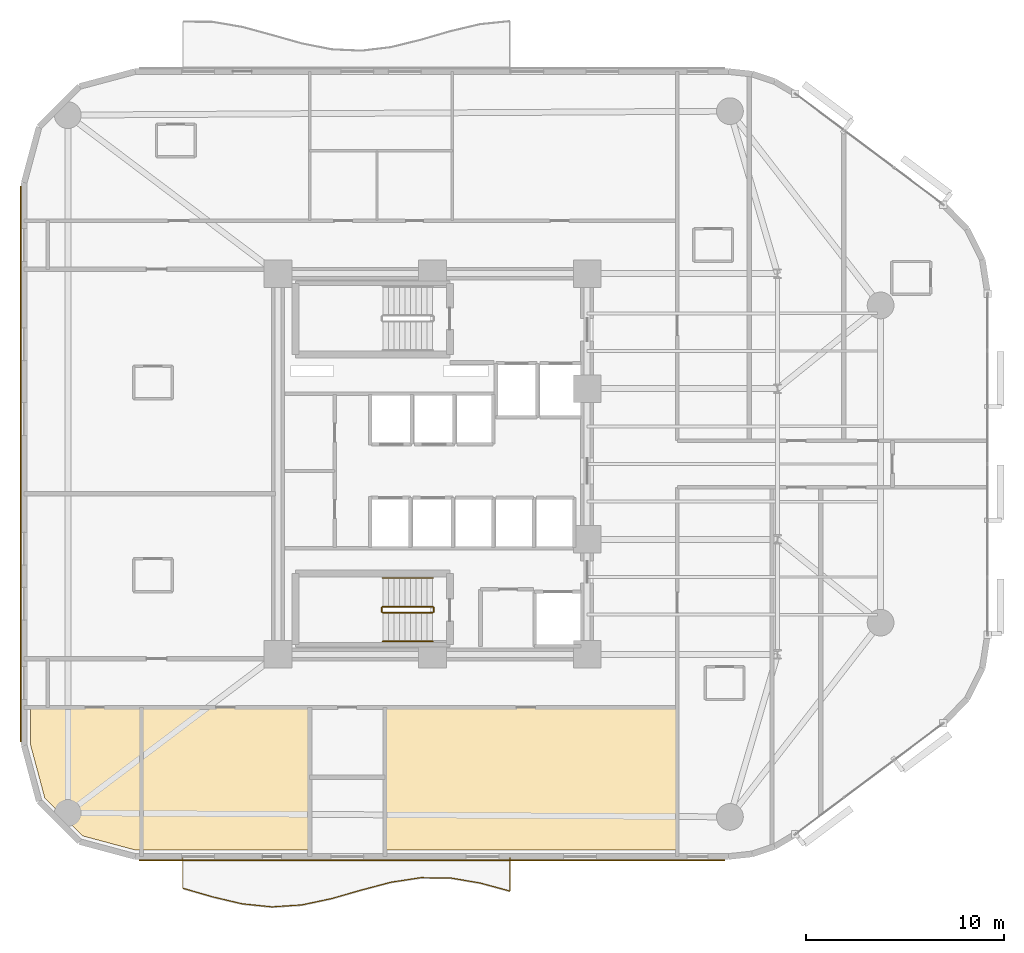
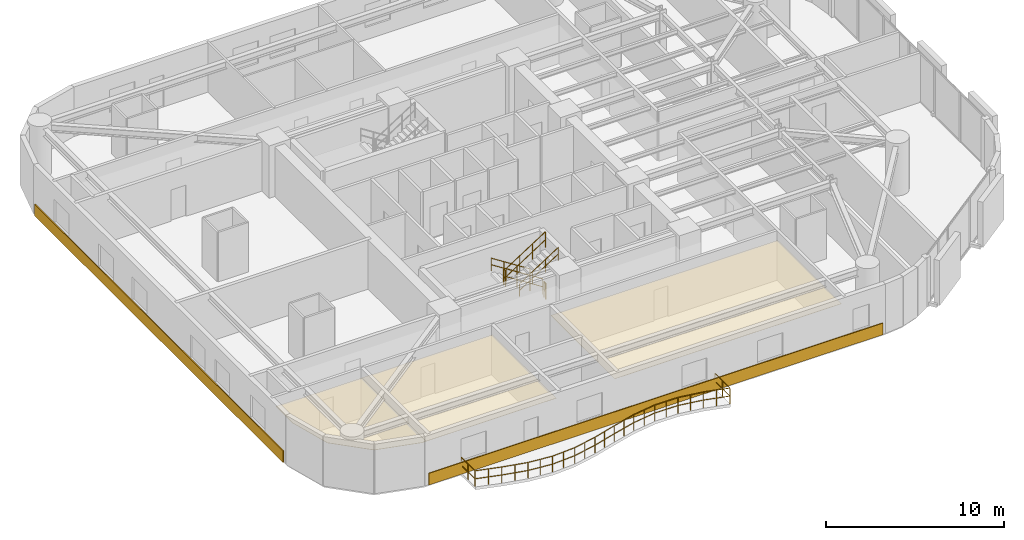
# One storey, part 14 of 16: 7 railings, 5 coverings.
"""IFC4 building model written with IfcOpenShell, lengths in metres."""

from ifc_helpers import new_model, si_unit, direction, frame, origin, origin_2d, place, context, subcontext, project, spatial, polyline, rectangle, circle, outline, extrude, material, layer, layer_set, type_object, element, save


model = new_model("IFC4")

# Units and contexts
model_context = context("Model", 3, precision=1e-05, world=origin(), true_north=direction((0.0, 1.0)))
body_context = subcontext(model_context, "Body", "Model", "MODEL_VIEW")
ifc_project = project(units=[si_unit("LENGTHUNIT", "METRE"), si_unit("AREAUNIT", "SQUARE_METRE"), si_unit("VOLUMEUNIT", "CUBIC_METRE"), si_unit("PLANEANGLEUNIT", "RADIAN"), si_unit("MASSUNIT", "GRAM", prefix="KILO")], contexts=[model_context])

# Site, building, storey
site_placement = place(None, origin())
site = spatial("IfcSite", under=ifc_project, at=site_placement, CompositionType="ELEMENT")
building_placement = place(site_placement, origin())
building = spatial("IfcBuilding", under=site, at=building_placement, Name="An Khanh Terracotta Commons", CompositionType="ELEMENT")
storey_placement = place(building_placement, frame((0.0, 0.0, 89.89990234375)))
storey = spatial("IfcBuildingStorey", under=building, at=storey_placement, Name="L23", CompositionType="ELEMENT", Elevation=89.89990234375)

# Coverings
ifc_material_1 = material(Name="Perforated Mineral-Fibre Acoustic Tile")
ifc_layer_1 = layer(ifc_material_1, 0.02001953125, Name="Perforated Mineral-Fibre Acoustic Tile")
ifc_layer_set_1 = layer_set([ifc_layer_1], Name="Perforated Mineral-Fibre Acoustic Tile")
covering_type_1 = type_object("IfcCoveringType", Name="CEIL-ACOUSTIC-18", PredefinedType="CEILING", material=ifc_layer_set_1)
covering_1_placement = place(storey_placement, frame((0.0, 0.0, 2.650146484375)))
element("IfcCovering", 1, at=covering_1_placement, inside=storey, type_object=covering_type_1, Name="L23 Academic Seminar Room Ceiling", PredefinedType="CEILING", context=body_context, shape_type="SweptSolid", body=[
    extrude(outline(polyline([(14.44189453125, 4.52001953125), (11.76611328125, 5.237060546875), (9.8369140625, 7.166015625), (9.1201171875, 9.842041015625), (9.1201171875, 11.719970703125), (10.0, 11.719970703125), (14.721923828125, 11.719970703125), (14.721923828125, 4.52001953125), (14.44189453125, 4.52001953125)])), origin(), (0.0, 0.0, 1.0), 0.02001953125),
])
covering_2_placement = place(storey_placement, frame((0.0, 0.0, 2.650146484375)))
element("IfcCovering", 2, at=covering_2_placement, inside=storey, type_object=covering_type_1, Name="L23 Academic Seminar Room Ceiling", PredefinedType="CEILING", context=body_context, shape_type="SweptSolid", body=[
    extrude(outline(polyline([(14.721923828125, 4.52001953125), (14.721923828125, 11.719970703125), (23.199951171875, 11.719970703125), (23.199951171875, 8.199951171875), (23.199951171875, 4.52001953125), (14.721923828125, 4.52001953125)])), origin(), (0.0, 0.0, 1.0), 0.02001953125),
])
covering_3_placement = place(storey_placement, frame((0.0, 0.0, 2.650146484375)))
element("IfcCovering", 3, at=covering_3_placement, inside=storey, type_object=covering_type_1, Name="L23 Academic Seminar Room Ceiling", PredefinedType="CEILING", context=body_context, shape_type="SweptSolid", body=[
    extrude(outline(polyline([(27.0, 4.52001953125), (27.0, 8.199951171875), (27.0, 11.719970703125), (37.5, 11.719970703125), (41.75, 11.719970703125), (41.75, 4.52001953125), (27.0, 4.52001953125)])), origin(), (0.0, 0.0, 1.0), 0.02001953125),
])
ifc_material_2 = material(Name="Fired Terracotta Rainscreen Cladding", Category="masonry")
ifc_layer_2 = layer(ifc_material_2, 0.06005859375, Name="Fired Terracotta Rainscreen Cladding")
ifc_layer_set_2 = layer_set([ifc_layer_2], Name="Fired Terracotta Rainscreen Cladding")
covering_type_2 = type_object("IfcCoveringType", Name="COV-SPANDREL-TERRA", PredefinedType="CLADDING", material=ifc_layer_set_2)
covering_4_placement = place(storey_placement, frame((29.365966796875, 4.02001953125, 0.02001953125), z_axis=(0.0, 0.0, 1.0), x_axis=(1.0, 0.0, 0.0)))
element("IfcCovering", 4, at=covering_4_placement, inside=storey, type_object=covering_type_2, Name="L23 Terracotta Spandrel Cladding 4", PredefinedType="CLADDING", context=body_context, shape_type="SweptSolid", body=[
    extrude(rectangle(XDim=29.532958984375, YDim=0.06005859375, at=origin_2d()), origin(), (0.0, 0.0, 1.0), 0.800048828125),
])
covering_5_placement = place(storey_placement, frame((8.6201171875, 24.0, 0.02001953125), z_axis=(0.0, 0.0, 1.0), x_axis=(0.0, -1.0, 0.0)))
element("IfcCovering", 5, at=covering_5_placement, inside=storey, type_object=covering_type_2, Name="L23 Terracotta Spandrel Cladding 24", PredefinedType="CLADDING", context=body_context, shape_type="SweptSolid", body=[
    extrude(rectangle(XDim=28.0, YDim=0.06005859375, at=origin_2d()), origin(), (0.0, 0.0, 1.0), 0.800048828125),
])

# Railings
ifc_material_3 = material(Name="Brushed Stainless Steel 316", Category="steel")
railing_type_1 = type_object("IfcRailingType", Name="RAIL-BALUSTRADE-1100", PredefinedType="BALUSTRADE", material=ifc_material_3)
railing_1_placement = place(storey_placement, frame((16.800048828125, 4.139892578125, 0.0)))
element("IfcRailing", 6, at=railing_1_placement, inside=storey, type_object=railing_type_1, Name="L23 S Wave Balcony Guard Balustrade", PredefinedType="BALUSTRADE", context=body_context, shape_type="SweptSolid", body=[
    extrude(circle(Radius=0.02392578125, at=origin_2d()), frame((0.0, 0.0, 1.076171875), z_axis=(0.0, -1.0, 0.0), x_axis=(1.0, 0.0, 0.0)), (0.0, 0.0, 1.0), 1.535888671875),
    extrude(circle(Radius=0.02392578125, at=origin_2d()), frame((0.0, 0.0, 0.52587890625), z_axis=(0.0, -1.0, 0.0), x_axis=(1.0, 0.0, 0.0)), (0.0, 0.0, 1.0), 1.535888671875),
    extrude(circle(Radius=0.02392578125, at=origin_2d()), frame((0.0, -1.535888671875, 1.076171875), z_axis=(0.960419102414, -0.278559056071, 0.0), x_axis=(0.278559056071, 0.960419102414, 0.0)), (0.0, 0.0, 1.0), 1.561767578125),
    extrude(circle(Radius=0.02392578125, at=origin_2d()), frame((0.0, -1.535888671875, 0.52587890625), z_axis=(0.960419102414, -0.278559056071, 0.0), x_axis=(0.278559056071, 0.960419102414, 0.0)), (0.0, 0.0, 1.0), 1.561767578125),
    extrude(circle(Radius=0.02392578125, at=origin_2d()), frame((1.5, -1.970947265625, 1.076171875), z_axis=(0.973263214687, -0.229692653206, 0.0), x_axis=(0.229692653206, 0.973263214687, 0.0)), (0.0, 0.0, 1.0), 1.541259765625),
    extrude(circle(Radius=0.02392578125, at=origin_2d()), frame((1.5, -1.970947265625, 0.52587890625), z_axis=(0.973263214687, -0.229692653206, 0.0), x_axis=(0.229692653206, 0.973263214687, 0.0)), (0.0, 0.0, 1.0), 1.541259765625),
    extrude(circle(Radius=0.02392578125, at=origin_2d()), frame((3.0, -2.324951171875, 1.076171875), z_axis=(0.994849482387, -0.101363244788, 0.0), x_axis=(0.101363244788, 0.994849482387, 0.0)), (0.0, 0.0, 1.0), 1.5078125),
    extrude(circle(Radius=0.02392578125, at=origin_2d()), frame((3.0, -2.324951171875, 0.52587890625), z_axis=(0.994849482387, -0.101363244788, 0.0), x_axis=(0.101363244788, 0.994849482387, 0.0)), (0.0, 0.0, 1.0), 1.5078125),
    extrude(circle(Radius=0.02392578125, at=origin_2d()), frame((4.5, -2.477783203125, 1.076171875), z_axis=(0.99787689467, 0.065128358523, 0.0), x_axis=(-0.065128358523, 0.99787689467, 0.0)), (0.0, 0.0, 1.0), 1.503173828125),
    extrude(circle(Radius=0.02392578125, at=origin_2d()), frame((4.5, -2.477783203125, 0.52587890625), z_axis=(0.99787689467, 0.065128358523, 0.0), x_axis=(-0.065128358523, 0.99787689467, 0.0)), (0.0, 0.0, 1.0), 1.503173828125),
    extrude(circle(Radius=0.02392578125, at=origin_2d()), frame((6.0, -2.3798828125, 1.076171875), z_axis=(0.978275241205, 0.207310280607, 0.0), x_axis=(-0.207310280607, 0.978275241205, 0.0)), (0.0, 0.0, 1.0), 1.533203125),
    extrude(circle(Radius=0.02392578125, at=origin_2d()), frame((6.0, -2.3798828125, 0.52587890625), z_axis=(0.978275241205, 0.207310280607, 0.0), x_axis=(-0.207310280607, 0.978275241205, 0.0)), (0.0, 0.0, 1.0), 1.533203125),
    extrude(circle(Radius=0.02392578125, at=origin_2d()), frame((7.5, -2.06201171875, 1.076171875), z_axis=(0.961251897699, 0.275671524047, 0.0), x_axis=(-0.275671524047, 0.961251897699, 0.0)), (0.0, 0.0, 1.0), 1.560546875),
    extrude(circle(Radius=0.02392578125, at=origin_2d()), frame((7.5, -2.06201171875, 0.52587890625), z_axis=(0.961251897699, 0.275671524047, 0.0), x_axis=(-0.275671524047, 0.961251897699, 0.0)), (0.0, 0.0, 1.0), 1.560546875),
    extrude(circle(Radius=0.02392578125, at=origin_2d()), frame((9.0, -1.6318359375, 1.076171875), z_axis=(0.966718963822, 0.255840663277, 0.0), x_axis=(-0.255840663277, 0.966718963822, 0.0)), (0.0, 0.0, 1.0), 1.5517578125),
    extrude(circle(Radius=0.02392578125, at=origin_2d()), frame((9.0, -1.6318359375, 0.52587890625), z_axis=(0.966718963822, 0.255840663277, 0.0), x_axis=(-0.255840663277, 0.966718963822, 0.0)), (0.0, 0.0, 1.0), 1.5517578125),
    extrude(circle(Radius=0.02392578125, at=origin_2d()), frame((10.5, -1.23486328125, 1.076171875), z_axis=(0.988545890906, 0.15092058035, 0.0), x_axis=(-0.15092058035, 0.988545890906, 0.0)), (0.0, 0.0, 1.0), 1.517333984375),
    extrude(circle(Radius=0.02392578125, at=origin_2d()), frame((10.5, -1.23486328125, 0.52587890625), z_axis=(0.988545890906, 0.15092058035, 0.0), x_axis=(-0.15092058035, 0.988545890906, 0.0)), (0.0, 0.0, 1.0), 1.517333984375),
    extrude(circle(Radius=0.02392578125, at=origin_2d()), frame((12.0, -1.005859375, 1.076171875), z_axis=(0.999956968224, -0.009276944529, 0.0), x_axis=(0.009276944529, 0.999956968224, 0.0)), (0.0, 0.0, 1.0), 1.5),
    extrude(circle(Radius=0.02392578125, at=origin_2d()), frame((12.0, -1.005859375, 0.52587890625), z_axis=(0.999956968224, -0.009276944529, 0.0), x_axis=(0.009276944529, 0.999956968224, 0.0)), (0.0, 0.0, 1.0), 1.5),
    extrude(circle(Radius=0.02392578125, at=origin_2d()), frame((13.5, -1.019775390625, 1.076171875), z_axis=(0.986053503704, -0.166428626846, 0.0), x_axis=(0.166428626846, 0.986053503704, 0.0)), (0.0, 0.0, 1.0), 1.521240234375),
    extrude(circle(Radius=0.02392578125, at=origin_2d()), frame((13.5, -1.019775390625, 0.52587890625), z_axis=(0.986053503704, -0.166428626846, 0.0), x_axis=(0.166428626846, 0.986053503704, 0.0)), (0.0, 0.0, 1.0), 1.521240234375),
    extrude(circle(Radius=0.02392578125, at=origin_2d()), frame((15.0, -1.27294921875, 1.076171875), z_axis=(0.964948425307, -0.262439586375, 0.0), x_axis=(0.262439586375, 0.964948425307, 0.0)), (0.0, 0.0, 1.0), 1.554443359375),
    extrude(circle(Radius=0.02392578125, at=origin_2d()), frame((15.0, -1.27294921875, 0.52587890625), z_axis=(0.964948425307, -0.262439586375, 0.0), x_axis=(0.262439586375, 0.964948425307, 0.0)), (0.0, 0.0, 1.0), 1.554443359375),
    extrude(circle(Radius=0.02392578125, at=origin_2d()), frame((16.5, -1.680908203125, 1.076171875), z_axis=(0.0, 1.0, 0.0), x_axis=(-1.0, 0.0, 0.0)), (0.0, 0.0, 1.0), 1.680908203125),
    extrude(circle(Radius=0.02392578125, at=origin_2d()), frame((16.5, -1.680908203125, 0.52587890625), z_axis=(0.0, 1.0, 0.0), x_axis=(-1.0, 0.0, 0.0)), (0.0, 0.0, 1.0), 1.680908203125),
    extrude(circle(Radius=0.02099609375, at=origin_2d()), origin(), (0.0, 0.0, 1.0), 1.052001953125),
    extrude(circle(Radius=0.02099609375, at=origin_2d()), frame((0.0, -0.76806640625, 0.0)), (0.0, 0.0, 1.0), 1.052001953125),
    extrude(circle(Radius=0.02099609375, at=origin_2d()), frame((0.0, -1.535888671875, 0.0)), (0.0, 0.0, 1.0), 1.052001953125),
    extrude(circle(Radius=0.02099609375, at=origin_2d()), frame((0.75, -1.75341796875, 0.0)), (0.0, 0.0, 1.0), 1.052001953125),
    extrude(circle(Radius=0.02099609375, at=origin_2d()), frame((1.5, -1.970947265625, 0.0)), (0.0, 0.0, 1.0), 1.052001953125),
    extrude(circle(Radius=0.02099609375, at=origin_2d()), frame((2.25, -2.14794921875, 0.0)), (0.0, 0.0, 1.0), 1.052001953125),
    extrude(circle(Radius=0.02099609375, at=origin_2d()), frame((3.0, -2.324951171875, 0.0)), (0.0, 0.0, 1.0), 1.052001953125),
    extrude(circle(Radius=0.02099609375, at=origin_2d()), frame((3.75, -2.4013671875, 0.0)), (0.0, 0.0, 1.0), 1.052001953125),
    extrude(circle(Radius=0.02099609375, at=origin_2d()), frame((4.5, -2.477783203125, 0.0)), (0.0, 0.0, 1.0), 1.052001953125),
    extrude(circle(Radius=0.02099609375, at=origin_2d()), frame((5.25, -2.4287109375, 0.0)), (0.0, 0.0, 1.0), 1.052001953125),
    extrude(circle(Radius=0.02099609375, at=origin_2d()), frame((6.0, -2.3798828125, 0.0)), (0.0, 0.0, 1.0), 1.052001953125),
    extrude(circle(Radius=0.02099609375, at=origin_2d()), frame((6.75, -2.220947265625, 0.0)), (0.0, 0.0, 1.0), 1.052001953125),
    extrude(circle(Radius=0.02099609375, at=origin_2d()), frame((7.5, -2.06201171875, 0.0)), (0.0, 0.0, 1.0), 1.052001953125),
    extrude(circle(Radius=0.02099609375, at=origin_2d()), frame((8.25, -1.846923828125, 0.0)), (0.0, 0.0, 1.0), 1.052001953125),
    extrude(circle(Radius=0.02099609375, at=origin_2d()), frame((9.0, -1.6318359375, 0.0)), (0.0, 0.0, 1.0), 1.052001953125),
    extrude(circle(Radius=0.02099609375, at=origin_2d()), frame((9.75, -1.433349609375, 0.0)), (0.0, 0.0, 1.0), 1.052001953125),
    extrude(circle(Radius=0.02099609375, at=origin_2d()), frame((10.5, -1.23486328125, 0.0)), (0.0, 0.0, 1.0), 1.052001953125),
    extrude(circle(Radius=0.02099609375, at=origin_2d()), frame((11.25, -1.120361328125, 0.0)), (0.0, 0.0, 1.0), 1.052001953125),
    extrude(circle(Radius=0.02099609375, at=origin_2d()), frame((12.0, -1.005859375, 0.0)), (0.0, 0.0, 1.0), 1.052001953125),
    extrude(circle(Radius=0.02099609375, at=origin_2d()), frame((12.75, -1.0126953125, 0.0)), (0.0, 0.0, 1.0), 1.052001953125),
    extrude(circle(Radius=0.02099609375, at=origin_2d()), frame((13.5, -1.019775390625, 0.0)), (0.0, 0.0, 1.0), 1.052001953125),
    extrude(circle(Radius=0.02099609375, at=origin_2d()), frame((14.25, -1.146484375, 0.0)), (0.0, 0.0, 1.0), 1.052001953125),
    extrude(circle(Radius=0.02099609375, at=origin_2d()), frame((15.0, -1.27294921875, 0.0)), (0.0, 0.0, 1.0), 1.052001953125),
    extrude(circle(Radius=0.02099609375, at=origin_2d()), frame((15.75, -1.47705078125, 0.0)), (0.0, 0.0, 1.0), 1.052001953125),
    extrude(circle(Radius=0.02099609375, at=origin_2d()), frame((16.5, -1.680908203125, 0.0)), (0.0, 0.0, 1.0), 1.052001953125),
    extrude(circle(Radius=0.02099609375, at=origin_2d()), frame((16.5, -0.84033203125, 0.0)), (0.0, 0.0, 1.0), 1.052001953125),
    extrude(circle(Radius=0.02099609375, at=origin_2d()), frame((16.5, 0.0, 0.0)), (0.0, 0.0, 1.0), 1.052001953125),
])
railing_type_2 = type_object("IfcRailingType", Name="RAIL-HANDRAIL-900", PredefinedType="HANDRAIL", material=ifc_material_3)
railing_2_placement = place(storey_placement, frame((29.409912109375, 18.25, 0.18017578125)))
element("IfcRailing", 7, at=railing_2_placement, inside=storey, type_object=railing_type_2, Name="L23 ST-02 stair handrail 1", PredefinedType="HANDRAIL", context=body_context, shape_type="SweptSolid", body=[
    extrude(circle(Radius=0.02392578125, at=origin_2d()), frame((0.0, 0.0, 0.8759765625), z_axis=(-0.841199657755, 0.0, 0.540724639528), x_axis=(0.0, -1.0, 0.0)), (0.0, 0.0, 1.0), 2.995849609375),
    extrude(circle(Radius=0.02392578125, at=origin_2d()), frame((0.0, 0.0, 0.42578125), z_axis=(-0.841199657755, 0.0, 0.540724639528), x_axis=(0.0, -1.0, 0.0)), (0.0, 0.0, 1.0), 2.995849609375),
    extrude(circle(Radius=0.02099609375, at=origin_2d()), origin(), (0.0, 0.0, 1.0), 0.851806640625),
    extrude(circle(Radius=0.02099609375, at=origin_2d()), frame((-0.840087890625, 0.0, 0.5400390625)), (0.0, 0.0, 1.0), 0.851806640625),
    extrude(circle(Radius=0.02099609375, at=origin_2d()), frame((-1.679931640625, 0.0, 1.079833984375)), (0.0, 0.0, 1.0), 0.851806640625),
    extrude(circle(Radius=0.02099609375, at=origin_2d()), frame((-2.52001953125, 0.0, 1.619873046875)), (0.0, 0.0, 1.0), 0.851806640625),
])
railing_3_placement = place(storey_placement, frame((26.889892578125, 15.050048828125, 1.97998046875)))
element("IfcRailing", 8, at=railing_3_placement, inside=storey, type_object=railing_type_2, Name="L23 ST-02 stair handrail 2", PredefinedType="HANDRAIL", context=body_context, shape_type="SweptSolid", body=[
    extrude(circle(Radius=0.02392578125, at=origin_2d()), frame((0.0, 0.0, 0.8759765625), z_axis=(0.841162588446, 0.0, 0.540782303519), x_axis=(0.0, 1.0, 0.0)), (0.0, 0.0, 1.0), 2.995849609375),
    extrude(circle(Radius=0.02392578125, at=origin_2d()), frame((0.0, 0.0, 0.42578125), z_axis=(0.841162588446, 0.0, 0.540782303519), x_axis=(0.0, 1.0, 0.0)), (0.0, 0.0, 1.0), 2.995849609375),
    extrude(circle(Radius=0.02099609375, at=origin_2d()), origin(), (0.0, 0.0, 1.0), 0.851806640625),
    extrude(circle(Radius=0.02099609375, at=origin_2d()), frame((0.840087890625, 0.0, 0.5400390625)), (0.0, 0.0, 1.0), 0.851806640625),
    extrude(circle(Radius=0.02099609375, at=origin_2d()), frame((1.679931640625, 0.0, 1.080078125)), (0.0, 0.0, 1.0), 0.851806640625),
    extrude(circle(Radius=0.02099609375, at=origin_2d()), frame((2.52001953125, 0.0, 1.6201171875)), (0.0, 0.0, 1.0), 0.851806640625),
])
ifc_material_4 = material(Name="Powder-Coated Steel S355J2", Category="steel")
railing_type_3 = type_object("IfcRailingType", Name="RAIL-STAIR-GUARD-1100", PredefinedType="BALUSTRADE", material=ifc_material_4)
railing_4_placement = place(storey_placement, frame((29.409912109375, 16.800048828125, 0.18017578125)))
element("IfcRailing", 9, at=railing_4_placement, inside=storey, type_object=railing_type_3, Name="L23 ST-02 stair guard 1", PredefinedType="BALUSTRADE", context=body_context, shape_type="SweptSolid", body=[
    extrude(circle(Radius=0.02392578125, at=origin_2d()), frame((0.0, 0.0, 1.076171875), z_axis=(-0.841199657755, 0.0, 0.540724639528), x_axis=(0.0, -1.0, 0.0)), (0.0, 0.0, 1.0), 2.995849609375),
    extrude(circle(Radius=0.02392578125, at=origin_2d()), frame((0.0, 0.0, 0.52587890625), z_axis=(-0.841199657755, 0.0, 0.540724639528), x_axis=(0.0, -1.0, 0.0)), (0.0, 0.0, 1.0), 2.995849609375),
    extrude(circle(Radius=0.02099609375, at=origin_2d()), origin(), (0.0, 0.0, 1.0), 1.052001953125),
    extrude(circle(Radius=0.02099609375, at=origin_2d()), frame((-0.840087890625, 0.0, 0.5400390625)), (0.0, 0.0, 1.0), 1.052001953125),
    extrude(circle(Radius=0.02099609375, at=origin_2d()), frame((-1.679931640625, 0.0, 1.079833984375)), (0.0, 0.0, 1.0), 1.052001953125),
    extrude(circle(Radius=0.02099609375, at=origin_2d()), frame((-2.52001953125, 0.0, 1.619873046875)), (0.0, 0.0, 1.0), 1.052001953125),
])
railing_5_placement = place(storey_placement, frame((26.840087890625, 16.75, 1.800048828125)))
element("IfcRailing", 10, at=railing_5_placement, inside=storey, type_object=railing_type_3, Name="L23 ST-02 stair guard 2", PredefinedType="BALUSTRADE", context=body_context, shape_type="SweptSolid", body=[
    extrude(circle(Radius=0.02392578125, at=origin_2d()), frame((0.0, 0.0, 1.076171875), z_axis=(0.0, -1.0, 0.0), x_axis=(1.0, 0.0, 0.0)), (0.0, 0.0, 1.0), 0.199951171875),
    extrude(circle(Radius=0.02392578125, at=origin_2d()), frame((0.0, 0.0, 0.52587890625), z_axis=(0.0, -1.0, 0.0), x_axis=(1.0, 0.0, 0.0)), (0.0, 0.0, 1.0), 0.199951171875),
    extrude(circle(Radius=0.02099609375, at=origin_2d()), origin(), (0.0, 0.0, 1.0), 1.052001953125),
    extrude(circle(Radius=0.02099609375, at=origin_2d()), frame((0.0, -0.199951171875, 0.0)), (0.0, 0.0, 1.0), 1.052001953125),
])
railing_6_placement = place(storey_placement, frame((26.889892578125, 16.5, 1.97998046875)))
element("IfcRailing", 11, at=railing_6_placement, inside=storey, type_object=railing_type_3, Name="L23 ST-02 stair guard 3", PredefinedType="BALUSTRADE", context=body_context, shape_type="SweptSolid", body=[
    extrude(circle(Radius=0.02392578125, at=origin_2d()), frame((0.0, 0.0, 1.076171875), z_axis=(0.841162588446, 0.0, 0.540782303519), x_axis=(0.0, 1.0, 0.0)), (0.0, 0.0, 1.0), 2.995849609375),
    extrude(circle(Radius=0.02392578125, at=origin_2d()), frame((0.0, 0.0, 0.52587890625), z_axis=(0.841162588446, 0.0, 0.540782303519), x_axis=(0.0, 1.0, 0.0)), (0.0, 0.0, 1.0), 2.995849609375),
    extrude(circle(Radius=0.02099609375, at=origin_2d()), origin(), (0.0, 0.0, 1.0), 1.052001953125),
    extrude(circle(Radius=0.02099609375, at=origin_2d()), frame((0.840087890625, 0.0, 0.5400390625)), (0.0, 0.0, 1.0), 1.052001953125),
    extrude(circle(Radius=0.02099609375, at=origin_2d()), frame((1.679931640625, 0.0, 1.080078125)), (0.0, 0.0, 1.0), 1.052001953125),
    extrude(circle(Radius=0.02099609375, at=origin_2d()), frame((2.52001953125, 0.0, 1.6201171875)), (0.0, 0.0, 1.0), 1.052001953125),
])
railing_7_placement = place(storey_placement, frame((29.4599609375, 16.75, 0.0)))
element("IfcRailing", 12, at=railing_7_placement, inside=storey, type_object=railing_type_3, Name="L23 ST-02 stair guard 4", PredefinedType="BALUSTRADE", context=body_context, shape_type="SweptSolid", body=[
    extrude(circle(Radius=0.02392578125, at=origin_2d()), frame((0.0, 0.0, 1.076171875), z_axis=(0.0, -1.0, 0.0), x_axis=(1.0, 0.0, 0.0)), (0.0, 0.0, 1.0), 0.199951171875),
    extrude(circle(Radius=0.02392578125, at=origin_2d()), frame((0.0, 0.0, 0.52587890625), z_axis=(0.0, -1.0, 0.0), x_axis=(1.0, 0.0, 0.0)), (0.0, 0.0, 1.0), 0.199951171875),
    extrude(circle(Radius=0.02099609375, at=origin_2d()), origin(), (0.0, 0.0, 1.0), 1.052001953125),
    extrude(circle(Radius=0.02099609375, at=origin_2d()), frame((0.0, -0.199951171875, 0.0)), (0.0, 0.0, 1.0), 1.052001953125),
])

save(model, "model.ifc")
